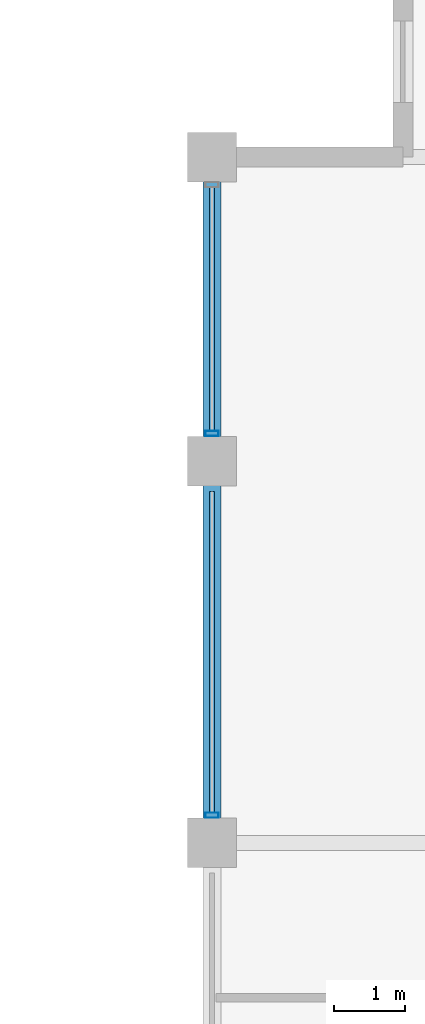
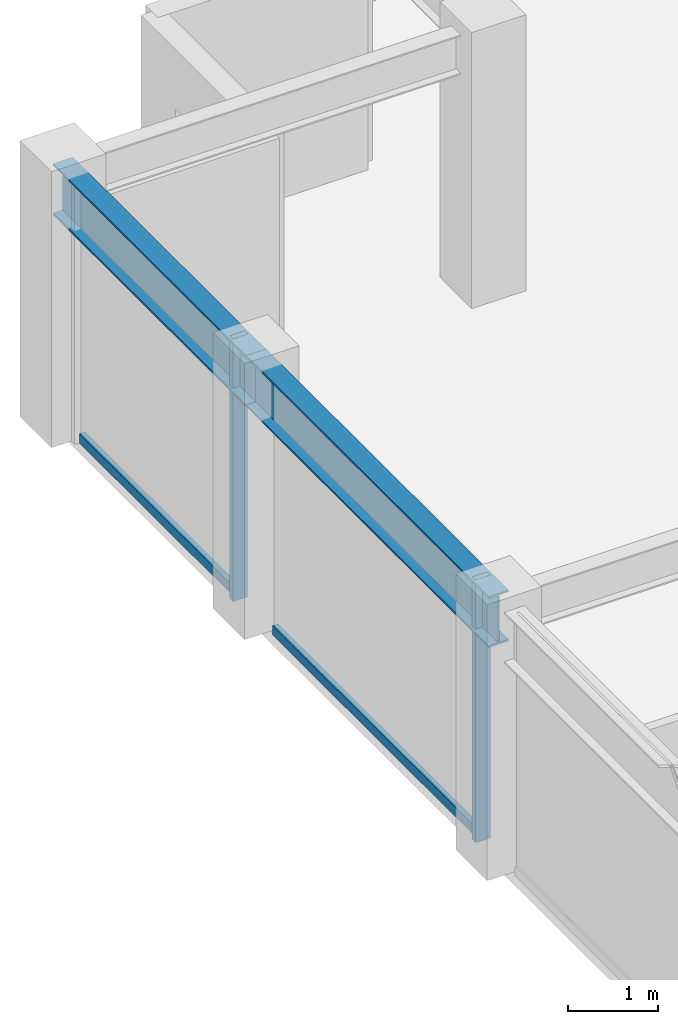
# One storey, part 13 of 31: 4 members, 2 beams, 1 element without a shape of its own.
"""IFC4 building model written with IfcOpenShell, lengths in metres."""

from ifc_helpers import new_model, si_unit, direction, frame, origin, origin_2d, place, context, subcontext, project, spatial, hollow_rectangle, i_section, extrude, material, layer, layer_set, material_profile, profile_set, type_object, element, aggregate, save


model = new_model("IFC4")

# Units and contexts
model_context = context("Model", 3, precision=1e-05, world=origin(), true_north=direction((0.0, 1.0)))
body_context = subcontext(model_context, "Body", "Model", "MODEL_VIEW")
ifc_project = project(units=[si_unit("LENGTHUNIT", "METRE"), si_unit("AREAUNIT", "SQUARE_METRE"), si_unit("VOLUMEUNIT", "CUBIC_METRE"), si_unit("PLANEANGLEUNIT", "RADIAN"), si_unit("MASSUNIT", "GRAM", prefix="KILO")], contexts=[model_context])

# Site, building, storey
site_placement = place(None, origin())
site = spatial("IfcSite", under=ifc_project, at=site_placement, CompositionType="ELEMENT")
building_placement = place(site_placement, origin())
building = spatial("IfcBuilding", under=site, at=building_placement, Name="Surkhivell Harbour Commons", CompositionType="ELEMENT")
storey_placement = place(building_placement, frame((0.0, 0.0, 322.5)))
storey = spatial("IfcBuildingStorey", under=building, at=storey_placement, Name="L84", CompositionType="ELEMENT", Elevation=322.5)

# Beams
ifc_material_1 = material(Name="Steel S355", Category="steel")
ifc_material_profile_1 = material_profile(ifc_material_1, i_section(OverallWidth=0.256103515625, OverallDepth=0.693115234375, WebThickness=0.014404296875, FlangeThickness=0.023681640625, at=origin_2d()), Name="UB686x254x170")
ifc_profile_set_1 = profile_set([ifc_material_profile_1], Name="Steel S355")
beam_type = type_object("IfcBeamType", Name="BM-SPN-686", PredefinedType="SPANDREL", material=ifc_profile_set_1)
beam_1_placement = place(storey_placement, frame((-27.0, 10.800048828125, 3.223388671875), z_axis=(0.0, 1.0, 0.0), x_axis=(-1.0, 0.0, 0.0)))
element("IfcBeam", 1, at=beam_1_placement, inside=storey, type_object=beam_type, Name="L84 Tube Spandrel (-27.0,10.8)", PredefinedType="SPANDREL", context=body_context, shape_type="SweptSolid", body=[
    extrude(i_section(OverallWidth=0.256103515625, OverallDepth=0.693115234375, WebThickness=0.014404296875, FlangeThickness=0.023681640625, at=origin_2d()), origin(), (0.0, 0.0, 1.0), 5.39990234375),
])
beam_2_placement = place(storey_placement, frame((-27.0, 16.199951171875, 3.223388671875), z_axis=(0.0, 1.0, 0.0), x_axis=(-1.0, 0.0, 0.0)))
element("IfcBeam", 2, at=beam_2_placement, inside=storey, type_object=beam_type, Name="L84 Tube Spandrel (-27.0,16.2)", PredefinedType="SPANDREL", context=body_context, shape_type="SweptSolid", body=[
    extrude(i_section(OverallWidth=0.256103515625, OverallDepth=0.693115234375, WebThickness=0.014404296875, FlangeThickness=0.023681640625, at=origin_2d()), origin(), (0.0, 0.0, 1.0), 4.300048828125),
])

# Curtain wall, members
ifc_material_2 = material(Name="Anodised pale-metal aluminium and insulated glazing", Category="aluminium")
ifc_layer = layer(ifc_material_2, 0.175048828125)
ifc_layer_set = layer_set([ifc_layer], Name="Anodised pale-metal aluminium and insulated glazing")
curtain_wall_type = type_object("IfcCurtainWallType", Name="CW-SYS-Z4", PredefinedType="NOTDEFINED", material=ifc_layer_set)
curtain_wall_placement = place(storey_placement, origin())
curtain_wall = element("IfcCurtainWall", 3, at=curtain_wall_placement, inside=storey, type_object=curtain_wall_type, Name="L84 Curtain Wall CW-L84-E12R2", PredefinedType="NOTDEFINED")
ifc_material_3 = material(Name="Anodised pale-metal aluminium alloy 6063-T6", Category="aluminium")
ifc_material_profile_2 = material_profile(ifc_material_3, hollow_rectangle(XDim=0.074951171875, YDim=0.18994140625, WallThickness=0.00390625, at=origin_2d()), Name="ALU-MULL-75x190")
ifc_profile_set_2 = profile_set([ifc_material_profile_2], Name="Anodised pale-metal aluminium alloy 6063-T6")
member_type_1 = type_object("IfcMemberType", Name="CWM-190", PredefinedType="MULLION", material=ifc_profile_set_2)
member_1_placement = place(storey_placement, frame((-27.0, 11.189453125, 0.0), z_axis=(0.0, 0.0, 1.0), x_axis=(0.0, 1.0, 0.0)))
member_1 = element("IfcMember", 4, at=member_1_placement, type_object=member_type_1, Name="CW-Z4 mullion 2", PredefinedType="MULLION", context=body_context, shape_type="SweptSolid", body=[
    extrude(hollow_rectangle(XDim=0.074951171875, YDim=0.18994140625, WallThickness=0.00390625, at=origin_2d()), origin(), (0.0, 0.0, 1.0), 3.570068359375),
])
member_2_placement = place(storey_placement, frame((-27.0, 16.589599609375, 0.0), z_axis=(0.0, 0.0, 1.0), x_axis=(0.0, 1.0, 0.0)))
member_2 = element("IfcMember", 5, at=member_2_placement, type_object=member_type_1, Name="CW-Z4 mullion 3", PredefinedType="MULLION", context=body_context, shape_type="SweptSolid", body=[
    extrude(hollow_rectangle(XDim=0.074951171875, YDim=0.18994140625, WallThickness=0.00390625, at=origin_2d()), origin(), (0.0, 0.0, 1.0), 3.570068359375),
])
ifc_material_4 = material(Name="Champagne anodised aluminium alloy 6063-T6", Category="aluminium")
ifc_material_profile_3 = material_profile(ifc_material_4, hollow_rectangle(XDim=0.070068359375, YDim=0.1298828125, WallThickness=0.00341796875, at=origin_2d()), Name="ALU-TRAN-70x130")
ifc_profile_set_3 = profile_set([ifc_material_profile_3], Name="Champagne anodised aluminium alloy 6063-T6")
member_type_2 = type_object("IfcMemberType", Name="CWT-130", PredefinedType="USERDEFINED", material=ifc_profile_set_3)
member_3_placement = place(storey_placement, frame((-27.0, 11.22705078125, 0.06494140625), z_axis=(0.0, 1.0, 0.0), x_axis=(-1.0, 0.0, 0.0)))
member_3 = element("IfcMember", 6, at=member_3_placement, type_object=member_type_2, Name="CW-Z4 transom 2.1", ObjectType="TRANSOM", PredefinedType="USERDEFINED", context=body_context, shape_type="SweptSolid", body=[
    extrude(hollow_rectangle(XDim=0.070068359375, YDim=0.1298828125, WallThickness=0.00341796875, at=origin_2d()), origin(), (0.0, 0.0, 1.0), 4.5458984375),
])
member_4_placement = place(storey_placement, frame((-27.0, 16.626953125, 0.06494140625), z_axis=(0.0, 1.0, 0.0), x_axis=(-1.0, 0.0, 0.0)))
member_4 = element("IfcMember", 7, at=member_4_placement, type_object=member_type_2, Name="CW-Z4 transom 3.1", ObjectType="TRANSOM", PredefinedType="USERDEFINED", context=body_context, shape_type="SweptSolid", body=[
    extrude(hollow_rectangle(XDim=0.070068359375, YDim=0.1298828125, WallThickness=0.00341796875, at=origin_2d()), origin(), (0.0, 0.0, 1.0), 3.446044921875),
])
aggregate(curtain_wall, [member_1, member_3, member_2, member_4])

save(model, "model.ifc")
